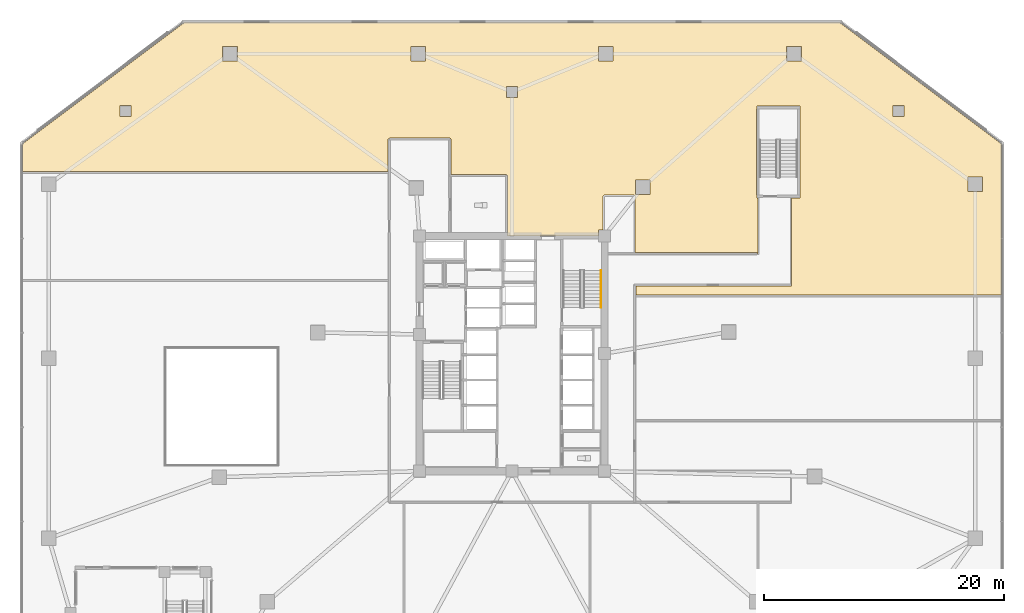
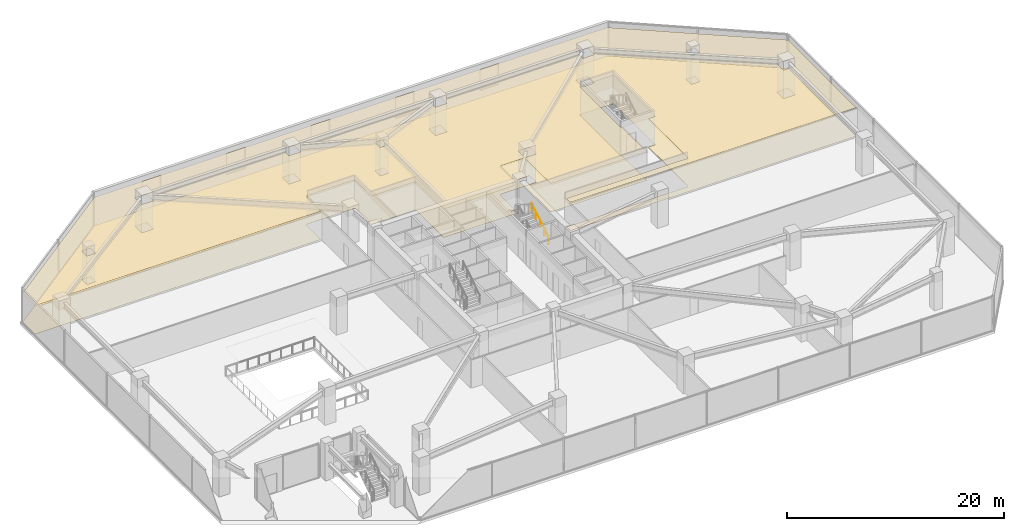
# One storey, part 19 of 22: 2 coverings, 1 railing.
"""IFC4 building model written with IfcOpenShell, lengths in metres."""

from ifc_helpers import new_model, si_unit, direction, frame, origin, origin_2d, place, context, subcontext, project, spatial, polyline, circle, outline, extrude, material, layer, layer_set, type_object, element, save


model = new_model("IFC4")

# Units and contexts
model_context = context("Model", 3, precision=1e-05, world=origin(), true_north=direction((0.0, 1.0)))
body_context = subcontext(model_context, "Body", "Model", "MODEL_VIEW")
ifc_project = project(units=[si_unit("LENGTHUNIT", "METRE"), si_unit("AREAUNIT", "SQUARE_METRE"), si_unit("VOLUMEUNIT", "CUBIC_METRE"), si_unit("PLANEANGLEUNIT", "RADIAN"), si_unit("MASSUNIT", "GRAM", prefix="KILO")], contexts=[model_context])

# Site, building, storey
site_placement = place(None, origin())
site = spatial("IfcSite", under=ifc_project, at=site_placement, CompositionType="ELEMENT")
building_placement = place(site_placement, origin())
building = spatial("IfcBuilding", under=site, at=building_placement, Name="Savorim Split Tower", CompositionType="ELEMENT")
storey_placement = place(building_placement, frame((0.0, 0.0, 17.60009765625)))
storey = spatial("IfcBuildingStorey", under=building, at=storey_placement, Name="L04", CompositionType="ELEMENT", Elevation=17.60009765625)

# Coverings
ifc_material_1 = material(Name="Mineral Fibre Acoustic Ceiling")
ifc_layer_1 = layer(ifc_material_1, 0.02490234375)
ifc_layer_set_1 = layer_set([ifc_layer_1], Name="COV-CEIL-25")
covering_type_1 = type_object("IfcCoveringType", Name="COV-CEIL-25", PredefinedType="CEILING", material=ifc_layer_set_1)
covering_1_placement = place(storey_placement, frame((0.0, 0.0, 3.199951171875)))
element("IfcCovering", 1, at=covering_1_placement, inside=storey, type_object=covering_type_1, Name="L04 Co-Working Commons Acoustic Ceiling", PredefinedType="CEILING", context=body_context, shape_type="SweptSolid", body=[
    extrude(outline(polyline([(27.32666015625, 27.97998046875), (-27.32666015625, 27.97998046875), (-40.780029296875, 17.889892578125), (-40.780029296875, 15.594970703125), (-10.31494140625, 15.594970703125), (-10.31494140625, 18.280029296875), (-10.219970703125, 18.280029296875), (-10.219970703125, 18.375), (-5.179931640625, 18.375), (-5.179931640625, 18.280029296875), (-5.0849609375, 18.280029296875), (-5.0849609375, 15.344970703125), (-0.449951171875, 15.344970703125), (-0.449951171875, 15.25), (-0.35498046875, 15.25), (-0.35498046875, 10.199951171875), (7.18994140625, 10.199951171875), (7.18994140625, 10.7099609375), (7.60009765625, 10.7099609375), (7.60009765625, 13.5), (7.6005859375, 13.509765625), (7.601806640625, 13.51953125), (7.604248046875, 13.529052734375), (7.607666015625, 13.538330078125), (7.61181640625, 13.547119140625), (7.616943359375, 13.5556640625), (7.622802734375, 13.5634765625), (7.62939453125, 13.57080078125), (7.63671875, 13.577392578125), (7.644287109375, 13.5830078125), (7.65283203125, 13.588134765625), (7.66162109375, 13.59228515625), (7.6708984375, 13.595703125), (7.680419921875, 13.59814453125), (7.690185546875, 13.599609375), (7.699951171875, 13.60009765625), (10.14990234375, 13.60009765625), (10.159912109375, 13.599609375), (10.16943359375, 13.59814453125), (10.178955078125, 13.595703125), (10.188232421875, 13.59228515625), (10.197021484375, 13.588134765625), (10.20556640625, 13.5830078125), (10.21337890625, 13.577392578125), (10.220703125, 13.57080078125), (10.227294921875, 13.5634765625), (10.233154296875, 13.5556640625), (10.23828125, 13.547119140625), (10.242431640625, 13.538330078125), (10.24560546875, 13.529052734375), (10.248046875, 13.51953125), (10.24951171875, 13.509765625), (10.25, 13.5), (10.25, 8.81494140625), (20.39990234375, 8.81494140625), (20.39990234375, 8.75), (20.5, 8.75), (20.5, 13.3798828125), (20.39990234375, 13.3798828125), (20.39990234375, 13.39990234375), (20.39990234375, 13.60009765625), (20.3798828125, 13.60009765625), (20.3798828125, 20.800048828125), (20.39990234375, 20.800048828125), (20.39990234375, 21.0), (20.39990234375, 21.02001953125), (24.0, 21.02001953125), (24.0, 21.0), (24.0, 20.800048828125), (24.02001953125, 20.800048828125), (24.02001953125, 13.60009765625), (24.0, 13.60009765625), (24.0, 13.39990234375), (24.0, 13.3798828125), (23.300048828125, 13.3798828125), (23.300048828125, 6.199951171875), (23.299560546875, 6.190185546875), (23.298095703125, 6.180419921875), (23.295654296875, 6.1708984375), (23.29248046875, 6.16162109375), (23.2880859375, 6.15283203125), (23.283203125, 6.144287109375), (23.280029296875, 6.14013671875), (23.280029296875, 6.02490234375), (10.31494140625, 6.02490234375), (10.31494140625, 5.294921875), (40.780029296875, 5.294921875), (40.780029296875, 17.889892578125), (27.32666015625, 27.97998046875)]), holes=[polyline([(37.989990234375, 13.889892578125), (39.2099609375, 13.889892578125), (39.2099609375, 15.110107421875), (37.989990234375, 15.110107421875), (37.989990234375, 13.889892578125)]), polyline([(22.889892578125, 24.7900390625), (24.110107421875, 24.7900390625), (24.110107421875, 26.010009765625), (22.889892578125, 26.010009765625), (22.889892578125, 24.7900390625)]), polyline([(7.18994140625, 24.7900390625), (8.409912109375, 24.7900390625), (8.409912109375, 26.010009765625), (7.18994140625, 26.010009765625), (7.18994140625, 24.7900390625)]), polyline([(-7.18994140625, 24.7900390625), (-7.18994140625, 26.010009765625), (-8.409912109375, 26.010009765625), (-8.409912109375, 24.7900390625), (-7.18994140625, 24.7900390625)]), polyline([(-22.889892578125, 26.010009765625), (-24.110107421875, 26.010009765625), (-24.110107421875, 24.7900390625), (-22.889892578125, 24.7900390625), (-22.889892578125, 26.010009765625)]), polyline([(10.275390625, 14.860595703125), (10.275390625, 13.640380859375), (11.49560546875, 13.640380859375), (11.49560546875, 14.860595703125), (10.275390625, 14.860595703125)]), polyline([(31.739990234375, 20.139892578125), (32.659912109375, 20.139892578125), (32.659912109375, 21.06005859375), (31.739990234375, 21.06005859375), (31.739990234375, 20.139892578125)]), polyline([(-31.739990234375, 20.139892578125), (-31.739990234375, 21.06005859375), (-32.659912109375, 21.06005859375), (-32.659912109375, 20.139892578125), (-31.739990234375, 20.139892578125)]), polyline([(-0.4599609375, 22.659912109375), (-0.4599609375, 21.739990234375), (0.4599609375, 21.739990234375), (0.4599609375, 22.659912109375), (-0.4599609375, 22.659912109375)])]), origin(), (0.0, 0.0, 1.0), 0.02490234375),
])
ifc_material_2 = material(Name="Porcelain Stoneware Flooring", Category="masonry")
ifc_layer_2 = layer(ifc_material_2, 0.02001953125)
ifc_layer_set_2 = layer_set([ifc_layer_2], Name="COV-FLOR-20")
covering_type_2 = type_object("IfcCoveringType", Name="COV-FLOR-20", PredefinedType="FLOORING", material=ifc_layer_set_2)
covering_2_placement = place(storey_placement, origin())
element("IfcCovering", 2, at=covering_2_placement, inside=storey, type_object=covering_type_2, Name="L04 Co-Working Commons Porcelain Flooring", PredefinedType="FLOORING", context=body_context, shape_type="SweptSolid", body=[
    extrude(outline(polyline([(27.32666015625, 27.97998046875), (-27.32666015625, 27.97998046875), (-40.780029296875, 17.889892578125), (-40.780029296875, 15.594970703125), (-10.31494140625, 15.594970703125), (-10.31494140625, 18.280029296875), (-10.219970703125, 18.280029296875), (-10.219970703125, 18.375), (-5.179931640625, 18.375), (-5.179931640625, 18.280029296875), (-5.0849609375, 18.280029296875), (-5.0849609375, 15.344970703125), (-0.449951171875, 15.344970703125), (-0.449951171875, 15.25), (-0.35498046875, 15.25), (-0.35498046875, 10.199951171875), (7.18994140625, 10.199951171875), (7.18994140625, 10.7099609375), (7.60009765625, 10.7099609375), (7.60009765625, 13.5), (7.6005859375, 13.509765625), (7.601806640625, 13.51953125), (7.604248046875, 13.529052734375), (7.607666015625, 13.538330078125), (7.61181640625, 13.547119140625), (7.616943359375, 13.5556640625), (7.622802734375, 13.5634765625), (7.62939453125, 13.57080078125), (7.63671875, 13.577392578125), (7.644287109375, 13.5830078125), (7.65283203125, 13.588134765625), (7.66162109375, 13.59228515625), (7.6708984375, 13.595703125), (7.680419921875, 13.59814453125), (7.690185546875, 13.599609375), (7.699951171875, 13.60009765625), (10.14990234375, 13.60009765625), (10.159912109375, 13.599609375), (10.16943359375, 13.59814453125), (10.178955078125, 13.595703125), (10.188232421875, 13.59228515625), (10.197021484375, 13.588134765625), (10.20556640625, 13.5830078125), (10.21337890625, 13.577392578125), (10.220703125, 13.57080078125), (10.227294921875, 13.5634765625), (10.233154296875, 13.5556640625), (10.23828125, 13.547119140625), (10.242431640625, 13.538330078125), (10.24560546875, 13.529052734375), (10.248046875, 13.51953125), (10.24951171875, 13.509765625), (10.25, 13.5), (10.25, 8.81494140625), (20.39990234375, 8.81494140625), (20.39990234375, 8.75), (20.5, 8.75), (20.5, 13.3798828125), (20.39990234375, 13.3798828125), (20.39990234375, 13.39990234375), (20.39990234375, 13.60009765625), (20.3798828125, 13.60009765625), (20.3798828125, 20.800048828125), (20.39990234375, 20.800048828125), (20.39990234375, 21.0), (20.39990234375, 21.02001953125), (24.0, 21.02001953125), (24.0, 21.0), (24.0, 20.800048828125), (24.02001953125, 20.800048828125), (24.02001953125, 13.60009765625), (24.0, 13.60009765625), (24.0, 13.39990234375), (24.0, 13.3798828125), (23.300048828125, 13.3798828125), (23.300048828125, 6.199951171875), (23.299560546875, 6.190185546875), (23.298095703125, 6.180419921875), (23.295654296875, 6.1708984375), (23.29248046875, 6.16162109375), (23.2880859375, 6.15283203125), (23.283203125, 6.144287109375), (23.280029296875, 6.14013671875), (23.280029296875, 6.02490234375), (10.31494140625, 6.02490234375), (10.31494140625, 5.294921875), (40.780029296875, 5.294921875), (40.780029296875, 17.889892578125), (27.32666015625, 27.97998046875)]), holes=[polyline([(37.989990234375, 13.889892578125), (39.2099609375, 13.889892578125), (39.2099609375, 15.110107421875), (37.989990234375, 15.110107421875), (37.989990234375, 13.889892578125)]), polyline([(22.889892578125, 24.7900390625), (24.110107421875, 24.7900390625), (24.110107421875, 26.010009765625), (22.889892578125, 26.010009765625), (22.889892578125, 24.7900390625)]), polyline([(7.18994140625, 24.7900390625), (8.409912109375, 24.7900390625), (8.409912109375, 26.010009765625), (7.18994140625, 26.010009765625), (7.18994140625, 24.7900390625)]), polyline([(-7.18994140625, 24.7900390625), (-7.18994140625, 26.010009765625), (-8.409912109375, 26.010009765625), (-8.409912109375, 24.7900390625), (-7.18994140625, 24.7900390625)]), polyline([(-22.889892578125, 26.010009765625), (-24.110107421875, 26.010009765625), (-24.110107421875, 24.7900390625), (-22.889892578125, 24.7900390625), (-22.889892578125, 26.010009765625)]), polyline([(10.275390625, 14.860595703125), (10.275390625, 13.640380859375), (11.49560546875, 13.640380859375), (11.49560546875, 14.860595703125), (10.275390625, 14.860595703125)]), polyline([(31.739990234375, 20.139892578125), (32.659912109375, 20.139892578125), (32.659912109375, 21.06005859375), (31.739990234375, 21.06005859375), (31.739990234375, 20.139892578125)]), polyline([(-31.739990234375, 20.139892578125), (-31.739990234375, 21.06005859375), (-32.659912109375, 21.06005859375), (-32.659912109375, 20.139892578125), (-31.739990234375, 20.139892578125)]), polyline([(-0.4599609375, 22.659912109375), (-0.4599609375, 21.739990234375), (0.4599609375, 21.739990234375), (0.4599609375, 22.659912109375), (-0.4599609375, 22.659912109375)])]), origin(), (0.0, 0.0, 1.0), 0.02001953125),
])

# Railing
ifc_material_3 = material(Name="Galvanised Painted Steel Balustrade", Category="steel")
railing_type = type_object("IfcRailingType", Name="RLG-HR-900", PredefinedType="HANDRAIL", material=ifc_material_3)
railing_placement = place(storey_placement, frame((7.39990234375, 4.25, 0.1748046875)))
element("IfcRailing", 3, at=railing_placement, inside=storey, type_object=railing_type, Name="L04 ST-2 stair handrail 1", PredefinedType="HANDRAIL", context=body_context, shape_type="SweptSolid", body=[
    extrude(circle(Radius=0.02392578125, at=origin_2d()), frame((0.0, 0.0, 0.8759765625), z_axis=(0.0, 0.847998304005, 0.529998940003), x_axis=(-1.0, 0.0, 0.0)), (0.0, 0.0, 1.0), 3.632080078125),
    extrude(circle(Radius=0.02099609375, at=origin_2d()), origin(), (0.0, 0.0, 1.0), 0.851806640625),
    extrude(circle(Radius=0.02099609375, at=origin_2d()), frame((0.0, 0.77001953125, 0.481201171875)), (0.0, 0.0, 1.0), 0.851806640625),
    extrude(circle(Radius=0.02099609375, at=origin_2d()), frame((0.0, 1.5400390625, 0.96240234375)), (0.0, 0.0, 1.0), 0.851806640625),
    extrude(circle(Radius=0.02099609375, at=origin_2d()), frame((0.0, 2.31005859375, 1.44384765625)), (0.0, 0.0, 1.0), 0.851806640625),
    extrude(circle(Radius=0.02099609375, at=origin_2d()), frame((0.0, 3.080078125, 1.925048828125)), (0.0, 0.0, 1.0), 0.851806640625),
])

save(model, "model.ifc")
